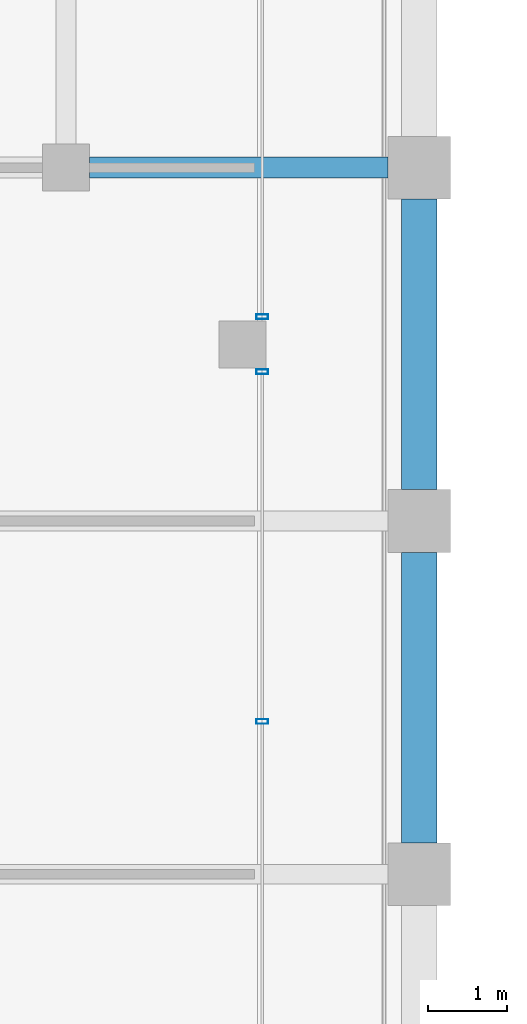
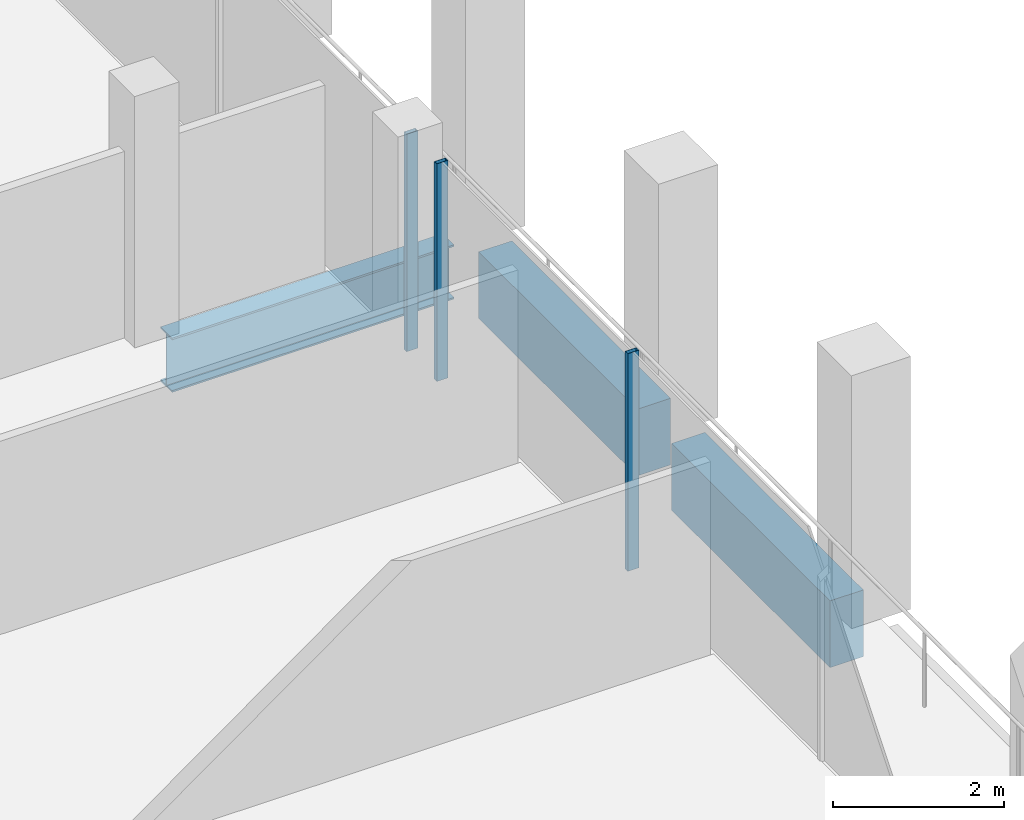
# One storey, part 19 of 41: 3 beams, 3 members, 2 elements without a shape of their own.
"""IFC4 building model written with IfcOpenShell, lengths in metres."""

from ifc_helpers import new_model, si_unit, direction, frame, origin, origin_2d, place, context, subcontext, project, spatial, rectangle, hollow_rectangle, i_section, extrude, material, material_profile, profile_set, type_object, element, aggregate, save


model = new_model("IFC4")

# Units and contexts
model_context = context("Model", 3, precision=1e-05, world=origin(), true_north=direction((0.0, 1.0)))
body_context = subcontext(model_context, "Body", "Model", "MODEL_VIEW")
ifc_project = project(units=[si_unit("LENGTHUNIT", "METRE"), si_unit("AREAUNIT", "SQUARE_METRE"), si_unit("VOLUMEUNIT", "CUBIC_METRE"), si_unit("PLANEANGLEUNIT", "RADIAN"), si_unit("MASSUNIT", "GRAM", prefix="KILO")], contexts=[model_context])

# Site, building, storey
site_placement = place(None, origin())
site = spatial("IfcSite", under=ifc_project, at=site_placement, CompositionType="ELEMENT")
building_placement = place(site_placement, origin())
building = spatial("IfcBuilding", under=site, at=building_placement, Name="Altepetl Exchange Towers", CompositionType="ELEMENT")
storey_placement = place(building_placement, frame((0.0, 0.0, 206.39990234375)))
storey = spatial("IfcBuildingStorey", under=building, at=storey_placement, Name="L52", CompositionType="ELEMENT", Elevation=206.39990234375)

# Beam
ifc_material_1 = material(Name="Steel S355", Category="steel")
ifc_material_profile_1 = material_profile(ifc_material_1, i_section(OverallWidth=0.26806640625, OverallDepth=0.77392578125, WebThickness=0.015380859375, FlangeThickness=0.025390625, at=origin_2d()), Name="W30X132")
ifc_profile_set_1 = profile_set([ifc_material_profile_1], Name="Steel S355")
beam_type_1 = type_object("IfcBeamType", Name="Girder W30X132", PredefinedType="BEAM", material=ifc_profile_set_1)
beam_placement = place(storey_placement, frame((67.800048828125, 58.5, -0.536865234375), z_axis=(1.0, 0.0, 0.0), x_axis=(0.0, 1.0, 0.0)))
element("IfcBeam", 1, at=beam_placement, inside=storey, type_object=beam_type_1, Name="gd:A:L52:002", PredefinedType="BEAM", context=body_context, shape_type="SweptSolid", body=[
    extrude(i_section(OverallWidth=0.26806640625, OverallDepth=0.77392578125, WebThickness=0.015380859375, FlangeThickness=0.025390625, at=origin_2d()), origin(), (0.0, 0.0, 1.0), 3.800048828125),
])

# Curtain wall, members
ifc_material_2 = material(Name="Aluminium 6063-T6 glazing", Category="aluminium")
curtain_wall_type = type_object("IfcCurtainWallType", Name="Loggia glazing system", PredefinedType="NOTDEFINED", material=ifc_material_2)
curtain_wall_1_placement = place(storey_placement, origin())
curtain_wall_1 = element("IfcCurtainWall", 2, at=curtain_wall_1_placement, inside=storey, type_object=curtain_wall_type, Name="CW1 run", PredefinedType="NOTDEFINED")
ifc_material_3 = material(Name="Aluminium 6063-T6", Category="aluminium")
ifc_material_profile_2 = material_profile(ifc_material_3, hollow_rectangle(XDim=0.06005859375, YDim=0.14990234375, WallThickness=0.0029296875, at=origin_2d()), Name="Mullion 60x150 aluminium")
ifc_profile_set_2 = profile_set([ifc_material_profile_2], Name="Aluminium 6063-T6")
member_type = type_object("IfcMemberType", Name="Mullion 60x150 aluminium", PredefinedType="MULLION", material=ifc_profile_set_2)
member_1_placement = place(storey_placement, frame((70.0, 51.444091796875, 0.0), z_axis=(0.0, 0.0, 1.0), x_axis=(0.0, 1.0, 0.0)))
member_1 = element("IfcMember", 3, at=member_1_placement, type_object=member_type, Name="MU1 mullion", PredefinedType="MULLION", context=body_context, shape_type="SweptSolid", body=[
    extrude(hollow_rectangle(XDim=0.06005859375, YDim=0.14990234375, WallThickness=0.0029296875, at=origin_2d()), origin(), (0.0, 0.0, 1.0), 3.10009765625),
])
member_2_placement = place(storey_placement, frame((70.0, 55.89990234375, 0.0), z_axis=(0.0, 0.0, 1.0), x_axis=(0.0, 1.0, 0.0)))
member_2 = element("IfcMember", 4, at=member_2_placement, type_object=member_type, Name="MU1 mullion", PredefinedType="MULLION", context=body_context, shape_type="SweptSolid", body=[
    extrude(hollow_rectangle(XDim=0.06005859375, YDim=0.14990234375, WallThickness=0.0029296875, at=origin_2d()), origin(), (0.0, 0.0, 1.0), 3.10009765625),
])
aggregate(curtain_wall_1, [member_1, member_2])

# Curtain wall, member
curtain_wall_2_placement = place(storey_placement, origin())
curtain_wall_2 = element("IfcCurtainWall", 5, at=curtain_wall_2_placement, inside=storey, type_object=curtain_wall_type, Name="CW1 run", PredefinedType="NOTDEFINED")
member_3_placement = place(storey_placement, frame((70.0, 56.60009765625, 0.0), z_axis=(0.0, 0.0, 1.0), x_axis=(0.0, 1.0, 0.0)))
member_3 = element("IfcMember", 6, at=member_3_placement, type_object=member_type, Name="MU1 mullion", PredefinedType="MULLION", context=body_context, shape_type="SweptSolid", body=[
    extrude(hollow_rectangle(XDim=0.06005859375, YDim=0.14990234375, WallThickness=0.0029296875, at=origin_2d()), origin(), (0.0, 0.0, 1.0), 3.10009765625),
])
aggregate(curtain_wall_2, [member_3])

# Beams
ifc_material_4 = material(Name="Concrete C50/60 precast with cantera amarilla facing", Category="concrete")
ifc_material_profile_3 = material_profile(ifc_material_4, rectangle(XDim=0.449951171875, YDim=0.949951171875, at=origin_2d()), Name="450 x 950")
ifc_profile_set_3 = profile_set([ifc_material_profile_3], Name="Concrete C50/60 precast with cantera amarilla facing")
beam_type_2 = type_object("IfcBeamType", Name="Spandrel beam 450x950 cantera amarilla", PredefinedType="SPANDREL", material=ifc_profile_set_3)
for number, where, z_axis, x_axis, name in (
    (7, (72.0, 49.89990234375, -0.625), (0.0, 1.0, 0.0), (-1.0, 0.0, 0.0), "sp:A:L52:016"),
    (8, (72.0, 54.39990234375, -0.625), (0.0, 1.0, 0.0), (-1.0, 0.0, 0.0), "sp:A:L52:017"),
):
    element("IfcBeam", number, at=place(storey_placement, frame(where, z_axis=z_axis, x_axis=x_axis)), inside=storey, type_object=beam_type_2, Name=name, PredefinedType="SPANDREL", context=body_context, shape_type="SweptSolid", body=[
        extrude(rectangle(XDim=0.449951171875, YDim=0.949951171875, at=origin_2d()), origin(), (0.0, 0.0, 1.0), 3.7001953125),
    ])

save(model, "model.ifc")
